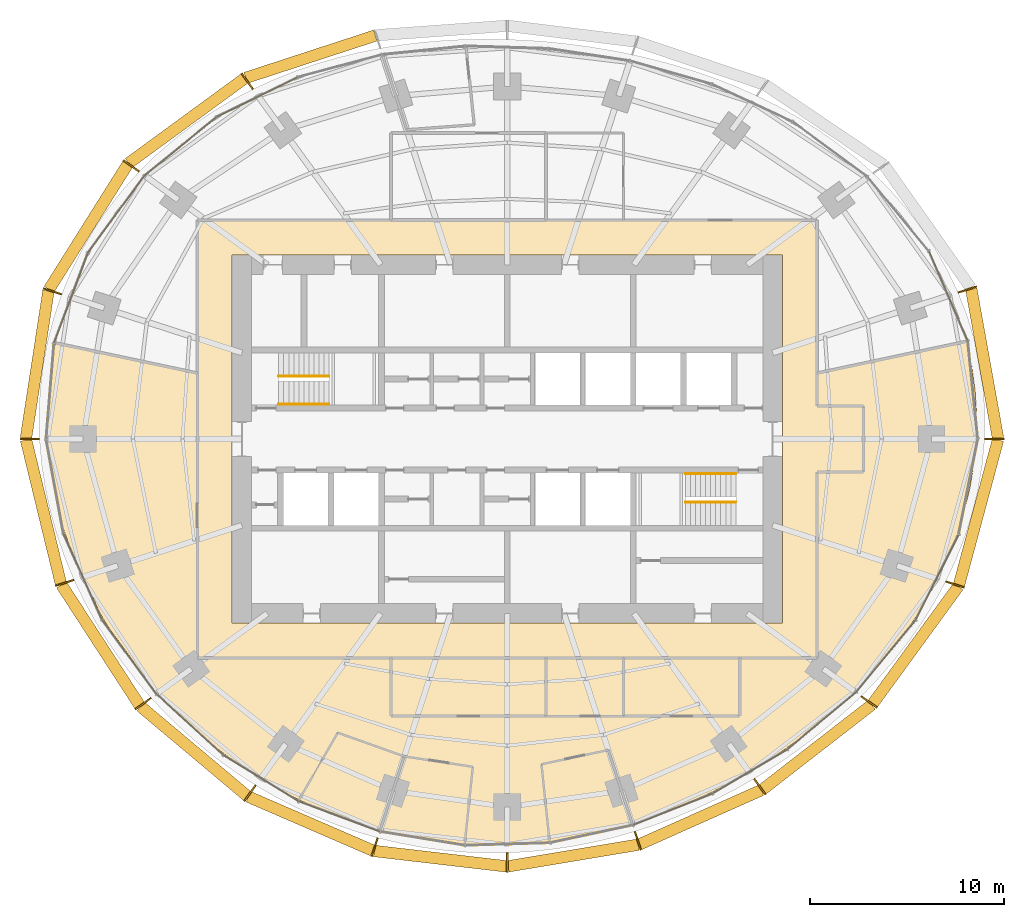
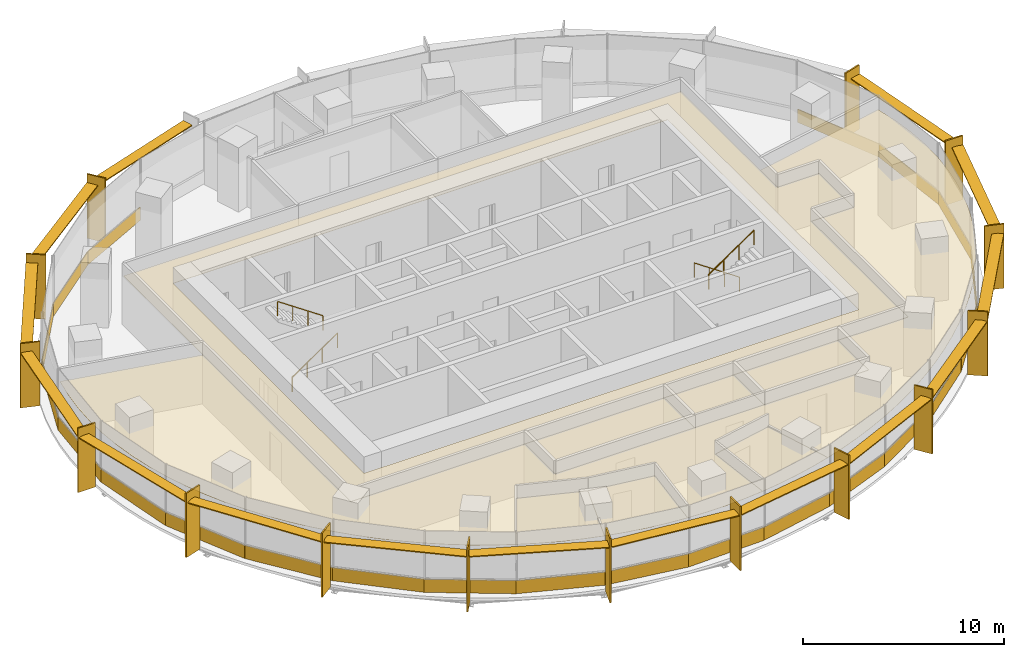
# One storey, part 14 of 15: 30 coverings, 30 shading devices, 4 railings.
"""IFC4 building model written with IfcOpenShell, lengths in metres."""

from ifc_helpers import new_model, si_unit, direction, frame, origin, origin_2d, place, context, subcontext, project, spatial, polyline, rectangle, circle, outline, extrude, material, layer, layer_set, type_object, element, save


model = new_model("IFC4")

# Units and contexts
model_context = context("Model", 3, precision=1e-05, world=origin(), true_north=direction((0.0, 1.0)))
body_context = subcontext(model_context, "Body", "Model", "MODEL_VIEW")
ifc_project = project(units=[si_unit("LENGTHUNIT", "METRE"), si_unit("AREAUNIT", "SQUARE_METRE"), si_unit("VOLUMEUNIT", "CUBIC_METRE"), si_unit("PLANEANGLEUNIT", "RADIAN"), si_unit("MASSUNIT", "GRAM", prefix="KILO")], contexts=[model_context])

# Site, building, storey
site_placement = place(None, origin())
site = spatial("IfcSite", under=ifc_project, at=site_placement, CompositionType="ELEMENT")
building_placement = place(site_placement, origin())
building = spatial("IfcBuilding", under=site, at=building_placement, Name="Marramba Exchange Tower", CompositionType="ELEMENT")
storey_placement = place(building_placement, frame((0.0, 0.0, 226.699951171875)))
storey = spatial("IfcBuildingStorey", under=building, at=storey_placement, Name="L55", CompositionType="ELEMENT", Elevation=226.699951171875)

# Shading devices
ifc_material_1 = material(Name="Aluminium blade, timber-look bronze finish", Category="wood")
ifc_layer_1 = layer(ifc_material_1, 0.080078125)
ifc_layer_set_1 = layer_set([ifc_layer_1], Name="Floor-edge blade 1000x80")
shading_device_type_1 = type_object("IfcShadingDeviceType", Name="Floor-edge blade 1000x80", PredefinedType="USERDEFINED", material=ifc_layer_set_1)
for number, where, z_axis, x_axis, name in (
    (1, (25.14404296875, 0.0, -0.159912109375), (0.0, 0.0, 1.0), (1.0, 0.0, 0.0), "Floor-edge blade FB1 L55 TC01"),
    (2, (23.757080078125, 7.718994140625, -0.159912109375), (0.0, 0.0, 1.0), (0.951056516295, 0.309016994375, 0.0), "Floor-edge blade FB1 L55 TC02"),
    (3, (-13.422607421875, 18.474609375, -0.159912109375), (0.0, 0.0, 1.0), (-0.587785252292, 0.809016994375, 0.0), "Floor-edge blade FB1 L55 TC08"),
    (4, (-19.4140625, 14.105224609375, -0.159912109375), (0.0, 0.0, 1.0), (-0.809016994375, 0.587785252292, 0.0), "Floor-edge blade FB1 L55 TC09"),
    (5, (-23.488525390625, 7.6318359375, -0.159912109375), (0.0, 0.0, 1.0), (-0.951056516295, 0.309016994375, 0.0), "Floor-edge blade FB1 L55 TC10"),
    (6, (-24.656005859375, 0.0, -0.159912109375), (0.0, 0.0, 1.0), (-1.0, 0.0, 0.0), "Floor-edge blade FB1 L55 TC11"),
    (7, (-22.848876953125, -7.424072265625, -0.159912109375), (0.0, 0.0, 1.0), (-0.951056516295, -0.309016994375, 0.0), "Floor-edge blade FB1 L55 TC12"),
    (8, (-18.7998046875, -13.658935546875, -0.159912109375), (0.0, 0.0, 1.0), (-0.809016994375, -0.587785252292, 0.0), "Floor-edge blade FB1 L55 TC13"),
    (9, (-13.2841796875, -18.2841796875, -0.159912109375), (0.0, 0.0, 1.0), (-0.587785252292, -0.809016994375, 0.0), "Floor-edge blade FB1 L55 TC14"),
    (10, (-6.845703125, -21.069091796875, -0.159912109375), (0.0, 0.0, 1.0), (-0.309016994375, -0.951056516295, 0.0), "Floor-edge blade FB1 L55 TC15"),
    (11, (0.0, -21.86376953125, -0.159912109375), (0.0, 0.0, 1.0), (0.0, -1.0, 0.0), "Floor-edge blade FB1 L55 TC16"),
    (12, (6.739501953125, -20.741943359375, -0.159912109375), (0.0, 0.0, 1.0), (0.309016994375, -0.951056516295, 0.0), "Floor-edge blade FB1 L55 TC17"),
    (13, (13.0380859375, -17.9453125, -0.159912109375), (0.0, 0.0, 1.0), (0.587785252292, -0.809016994375, 0.0), "Floor-edge blade FB1 L55 TC18"),
    (14, (18.6845703125, -13.5751953125, -0.159912109375), (0.0, 0.0, 1.0), (0.809016994375, -0.587785252292, 0.0), "Floor-edge blade FB1 L55 TC19"),
    (15, (23.1171875, -7.51123046875, -0.159912109375), (0.0, 0.0, 1.0), (0.951056516295, -0.309016994375, 0.0), "Floor-edge blade FB1 L55 TC20"),
):
    element("IfcShadingDevice", number, at=place(storey_placement, frame(where, z_axis=z_axis, x_axis=x_axis)), inside=storey, type_object=shading_device_type_1, Name=name, ObjectType="FIN", PredefinedType="USERDEFINED", context=body_context, shape_type="SweptSolid", body=[
        extrude(rectangle(XDim=1.0, YDim=0.080078125, at=origin_2d()), origin(), (0.0, 0.0, 1.0), 3.89990234375),
    ])
ifc_material_2 = material(Name="Aluminium sunshade, bronze anodised", Category="aluminium")
ifc_layer_2 = layer(ifc_material_2, 0.06005859375)
ifc_layer_set_2 = layer_set([ifc_layer_2], Name="SUNSHADE blade 600x60")
shading_device_type_2 = type_object("IfcShadingDeviceType", Name="SUNSHADE blade 600x60", PredefinedType="USERDEFINED", material=ifc_layer_set_2)
shading_device_1_placement = place(storey_placement, frame((24.6455078125, 3.890380859375, 3.159912109375), z_axis=(0.0, 0.0, 1.0), x_axis=(-0.176690623809, 0.984266439262, 0.0)))
element("IfcShadingDevice", 16, at=shading_device_1_placement, inside=storey, type_object=shading_device_type_2, Name="Sunshade SS1 L55 bay 01", ObjectType="SUNSHADE", PredefinedType="USERDEFINED", context=body_context, shape_type="SweptSolid", body=[
    extrude(rectangle(XDim=7.8251953125, YDim=0.60009765625, at=origin_2d()), origin(), (0.0, 0.0, 1.0), 0.06005859375),
])
shading_device_2_placement = place(storey_placement, frame((-10.156982421875, 19.741943359375, 3.159912109375), z_axis=(0.0, 0.0, 1.0), x_axis=(-0.950537602937, -0.310609506297, 0.0)))
element("IfcShadingDevice", 17, at=shading_device_2_placement, inside=storey, type_object=shading_device_type_2, Name="Sunshade SS1 L55 bay 07", ObjectType="SUNSHADE", PredefinedType="USERDEFINED", context=body_context, shape_type="SweptSolid", body=[
    extrude(rectangle(XDim=7.03857421875, YDim=0.60009765625, at=origin_2d()), origin(), (0.0, 0.0, 1.0), 0.06005859375),
])
shading_device_3_placement = place(storey_placement, frame((-16.55810546875, 16.4296875, 3.159912109375), z_axis=(0.0, 0.0, 1.0), x_axis=(-0.80719390073, -0.59028637679, 0.0)))
element("IfcShadingDevice", 18, at=shading_device_3_placement, inside=storey, type_object=shading_device_type_2, Name="Sunshade SS1 L55 bay 08", ObjectType="SUNSHADE", PredefinedType="USERDEFINED", context=body_context, shape_type="SweptSolid", body=[
    extrude(rectangle(XDim=7.3974609375, YDim=0.60009765625, at=origin_2d()), origin(), (0.0, 0.0, 1.0), 0.06005859375),
])
shading_device_4_placement = place(storey_placement, frame((-21.62744140625, 10.958251953125, 3.159912109375), z_axis=(0.0, 0.0, 1.0), x_axis=(-0.532082259983, -0.846692664792, 0.0)))
element("IfcShadingDevice", 19, at=shading_device_4_placement, inside=storey, type_object=shading_device_type_2, Name="Sunshade SS1 L55 bay 09", ObjectType="SUNSHADE", PredefinedType="USERDEFINED", context=body_context, shape_type="SweptSolid", body=[
    extrude(rectangle(XDim=7.631103515625, YDim=0.60009765625, at=origin_2d()), origin(), (0.0, 0.0, 1.0), 0.06005859375),
])
shading_device_5_placement = place(storey_placement, frame((-24.267333984375, 3.846923828125, 3.159912109375), z_axis=(0.0, 0.0, 1.0), x_axis=(-0.151240669327, -0.988496970123, 0.0)))
element("IfcShadingDevice", 20, at=shading_device_5_placement, inside=storey, type_object=shading_device_type_2, Name="Sunshade SS1 L55 bay 10", ObjectType="SUNSHADE", PredefinedType="USERDEFINED", context=body_context, shape_type="SweptSolid", body=[
    extrude(rectangle(XDim=7.703369140625, YDim=0.60009765625, at=origin_2d()), origin(), (0.0, 0.0, 1.0), 0.06005859375),
])
shading_device_6_placement = place(storey_placement, frame((-23.947509765625, -3.742919921875, 3.159912109375), z_axis=(0.0, 0.0, 1.0), x_axis=(0.235861488454, -0.971786683519, 0.0)))
element("IfcShadingDevice", 21, at=shading_device_6_placement, inside=storey, type_object=shading_device_type_2, Name="Sunshade SS1 L55 bay 11", ObjectType="SUNSHADE", PredefinedType="USERDEFINED", context=body_context, shape_type="SweptSolid", body=[
    extrude(rectangle(XDim=7.623291015625, YDim=0.60009765625, at=origin_2d()), origin(), (0.0, 0.0, 1.0), 0.06005859375),
])
shading_device_7_placement = place(storey_placement, frame((-21.000244140625, -10.631103515625, 3.159912109375), z_axis=(0.0, 0.0, 1.0), x_axis=(0.543921771105, -0.839135928749, 0.0)))
element("IfcShadingDevice", 22, at=shading_device_7_placement, inside=storey, type_object=shading_device_type_2, Name="Sunshade SS1 L55 bay 12", ObjectType="SUNSHADE", PredefinedType="USERDEFINED", context=body_context, shape_type="SweptSolid", body=[
    extrude(rectangle(XDim=7.41650390625, YDim=0.60009765625, at=origin_2d()), origin(), (0.0, 0.0, 1.0), 0.06005859375),
])
shading_device_8_placement = place(storey_placement, frame((-16.181640625, -16.111083984375, 3.159912109375), z_axis=(0.0, 0.0, 1.0), x_axis=(0.765761970568, -0.643124097225, 0.0)))
element("IfcShadingDevice", 23, at=shading_device_8_placement, inside=storey, type_object=shading_device_type_2, Name="Sunshade SS1 L55 bay 13", ObjectType="SUNSHADE", PredefinedType="USERDEFINED", context=body_context, shape_type="SweptSolid", body=[
    extrude(rectangle(XDim=7.1806640625, YDim=0.60009765625, at=origin_2d()), origin(), (0.0, 0.0, 1.0), 0.06005859375),
])
shading_device_9_placement = place(storey_placement, frame((-10.154541015625, -19.8525390625, 3.159912109375), z_axis=(0.0, 0.0, 1.0), x_axis=(0.917589256742, -0.397529817639, 0.0)))
element("IfcShadingDevice", 24, at=shading_device_9_placement, inside=storey, type_object=shading_device_type_2, Name="Sunshade SS1 L55 bay 14", ObjectType="SUNSHADE", PredefinedType="USERDEFINED", context=body_context, shape_type="SweptSolid", body=[
    extrude(rectangle(XDim=6.997314453125, YDim=0.60009765625, at=origin_2d()), origin(), (0.0, 0.0, 1.0), 0.06005859375),
])
shading_device_10_placement = place(storey_placement, frame((-3.453857421875, -21.66162109375, 3.159912109375), z_axis=(0.0, 0.0, 1.0), x_axis=(0.993288257497, -0.1156651958, 0.0)))
element("IfcShadingDevice", 25, at=shading_device_10_placement, inside=storey, type_object=shading_device_type_2, Name="Sunshade SS1 L55 bay 15", ObjectType="SUNSHADE", PredefinedType="USERDEFINED", context=body_context, shape_type="SweptSolid", body=[
    extrude(rectangle(XDim=6.874267578125, YDim=0.60009765625, at=origin_2d()), origin(), (0.0, 0.0, 1.0), 0.06005859375),
])
shading_device_11_placement = place(storey_placement, frame((3.400634765625, -21.498046875, 3.159912109375), z_axis=(0.0, 0.0, 1.0), x_axis=(0.986439622954, 0.164124557168, 0.0)))
element("IfcShadingDevice", 26, at=shading_device_11_placement, inside=storey, type_object=shading_device_type_2, Name="Sunshade SS1 L55 bay 16", ObjectType="SUNSHADE", PredefinedType="USERDEFINED", context=body_context, shape_type="SweptSolid", body=[
    extrude(rectangle(XDim=6.814697265625, YDim=0.60009765625, at=origin_2d()), origin(), (0.0, 0.0, 1.0), 0.06005859375),
])
shading_device_12_placement = place(storey_placement, frame((9.978515625, -19.519775390625, 3.159912109375), z_axis=(0.0, 0.0, 1.0), x_axis=(0.913771678576, 0.406228161792, 0.0)))
element("IfcShadingDevice", 27, at=shading_device_12_placement, inside=storey, type_object=shading_device_type_2, Name="Sunshade SS1 L55 bay 17", ObjectType="SUNSHADE", PredefinedType="USERDEFINED", context=body_context, shape_type="SweptSolid", body=[
    extrude(rectangle(XDim=6.8740234375, YDim=0.60009765625, at=origin_2d()), origin(), (0.0, 0.0, 1.0), 0.06005859375),
])
shading_device_13_placement = place(storey_placement, frame((16.0009765625, -15.89990234375, 3.159912109375), z_axis=(0.0, 0.0, 1.0), x_axis=(0.790133082515, 0.612935324414, 0.0)))
element("IfcShadingDevice", 28, at=shading_device_13_placement, inside=storey, type_object=shading_device_type_2, Name="Sunshade SS1 L55 bay 18", ObjectType="SUNSHADE", PredefinedType="USERDEFINED", context=body_context, shape_type="SweptSolid", body=[
    extrude(rectangle(XDim=7.122314453125, YDim=0.60009765625, at=origin_2d()), origin(), (0.0, 0.0, 1.0), 0.06005859375),
])
shading_device_14_placement = place(storey_placement, frame((21.076904296875, -10.6328125, 3.159912109375), z_axis=(0.0, 0.0, 1.0), x_axis=(0.589071758439, 0.808080728275, 0.0)))
element("IfcShadingDevice", 29, at=shading_device_14_placement, inside=storey, type_object=shading_device_type_2, Name="Sunshade SS1 L55 bay 19", ObjectType="SUNSHADE", PredefinedType="USERDEFINED", context=body_context, shape_type="SweptSolid", body=[
    extrude(rectangle(XDim=7.4931640625, YDim=0.60009765625, at=origin_2d()), origin(), (0.0, 0.0, 1.0), 0.06005859375),
])
shading_device_15_placement = place(storey_placement, frame((24.32568359375, -3.78662109375, 3.159912109375), z_axis=(0.0, 0.0, 1.0), x_axis=(0.259692365654, 0.965691397508, 0.0)))
element("IfcShadingDevice", 30, at=shading_device_15_placement, inside=storey, type_object=shading_device_type_2, Name="Sunshade SS1 L55 bay 20", ObjectType="SUNSHADE", PredefinedType="USERDEFINED", context=body_context, shape_type="SweptSolid", body=[
    extrude(rectangle(XDim=7.76220703125, YDim=0.60009765625, at=origin_2d()), origin(), (0.0, 0.0, 1.0), 0.06005859375),
])

# Coverings
ifc_material_3 = material(Name="Aluminium spandrel panel, bronze anodised, insulated", Category="aluminium")
ifc_layer_3 = layer(ifc_material_3, 0.050048828125)
ifc_layer_set_3 = layer_set([ifc_layer_3], Name="Spandrel panel 800")
covering_type_1 = type_object("IfcCoveringType", Name="Spandrel panel 800", PredefinedType="CLADDING", material=ifc_layer_set_3)
covering_1_placement = place(storey_placement, frame((24.036376953125, 2.527099609375, 0.0), z_axis=(0.0, 0.0, 1.0), x_axis=(-0.101422478545, 0.994843445395, 0.0)))
element("IfcCovering", 31, at=covering_1_placement, inside=storey, type_object=covering_type_1, Name="Spandrel panel SP1 L55 F01", PredefinedType="CLADDING", context=body_context, shape_type="SweptSolid", body=[
    extrude(rectangle(XDim=5.08056640625, YDim=0.050048828125, at=origin_2d()), origin(), (0.0, 0.0, 1.0), 0.800048828125),
])
covering_2_placement = place(storey_placement, frame((22.77734375, 7.374755859375, 0.0), z_axis=(0.0, 0.0, 1.0), x_axis=(-0.396193349205, 0.918167103552, 0.0)))
element("IfcCovering", 32, at=covering_2_placement, inside=storey, type_object=covering_type_1, Name="Spandrel panel SP1 L55 F02", PredefinedType="CLADDING", context=body_context, shape_type="SweptSolid", body=[
    extrude(rectangle(XDim=5.0546875, YDim=0.050048828125, at=origin_2d()), origin(), (0.0, 0.0, 1.0), 0.800048828125),
])
covering_3_placement = place(storey_placement, frame((-12.88818359375, 17.666748046875, 0.0), z_axis=(0.0, 0.0, 1.0), x_axis=(-0.898500520314, -0.438972453572, 0.0)))
element("IfcCovering", 33, at=covering_3_placement, inside=storey, type_object=covering_type_1, Name="Spandrel panel SP1 L55 F11", PredefinedType="CLADDING", context=body_context, shape_type="SweptSolid", body=[
    extrude(rectangle(XDim=4.667236328125, YDim=0.050048828125, at=origin_2d()), origin(), (0.0, 0.0, 1.0), 0.800048828125),
])
covering_4_placement = place(storey_placement, frame((-16.855712890625, 15.1240234375, 0.0), z_axis=(0.0, 0.0, 1.0), x_axis=(-0.776432169123, -0.630200830491, 0.0)))
element("IfcCovering", 34, at=covering_4_placement, inside=storey, type_object=covering_type_1, Name="Spandrel panel SP1 L55 F12", PredefinedType="CLADDING", context=body_context, shape_type="SweptSolid", body=[
    extrude(rectangle(XDim=4.81884765625, YDim=0.050048828125, at=origin_2d()), origin(), (0.0, 0.0, 1.0), 0.800048828125),
])
covering_5_placement = place(storey_placement, frame((-20.184326171875, 11.62060546875, 0.0), z_axis=(0.0, 0.0, 1.0), x_axis=(-0.591962919465, -0.805965198987, 0.0)))
element("IfcCovering", 35, at=covering_5_placement, inside=storey, type_object=covering_type_1, Name="Spandrel panel SP1 L55 F13", PredefinedType="CLADDING", context=body_context, shape_type="SweptSolid", body=[
    extrude(rectangle(XDim=4.925537109375, YDim=0.050048828125, at=origin_2d()), origin(), (0.0, 0.0, 1.0), 0.800048828125),
])
covering_6_placement = place(storey_placement, frame((-22.518798828125, 7.30419921875, 0.0), z_axis=(0.0, 0.0, 1.0), x_axis=(-0.351951514464, -0.936018232443, 0.0)))
element("IfcCovering", 36, at=covering_6_placement, inside=storey, type_object=covering_type_1, Name="Spandrel panel SP1 L55 F14", PredefinedType="CLADDING", context=body_context, shape_type="SweptSolid", body=[
    extrude(rectangle(XDim=4.981689453125, YDim=0.050048828125, at=origin_2d()), origin(), (0.0, 0.0, 1.0), 0.800048828125),
])
covering_7_placement = place(storey_placement, frame((-23.600830078125, 2.486328125, 0.0), z_axis=(0.0, 0.0, 1.0), x_axis=(-0.082280881776, -0.996609179415, 0.0)))
element("IfcCovering", 37, at=covering_7_placement, inside=storey, type_object=covering_type_1, Name="Spandrel panel SP1 L55 F15", PredefinedType="CLADDING", context=body_context, shape_type="SweptSolid", body=[
    extrude(rectangle(XDim=4.98974609375, YDim=0.050048828125, at=origin_2d()), origin(), (0.0, 0.0, 1.0), 0.800048828125),
])
covering_8_placement = place(storey_placement, frame((-23.359619140625, -2.43505859375, 0.0), z_axis=(0.0, 0.0, 1.0), x_axis=(0.180327442841, -0.983606635479, 0.0)))
element("IfcCovering", 38, at=covering_8_placement, inside=storey, type_object=covering_type_1, Name="Spandrel panel SP1 L55 F16", PredefinedType="CLADDING", context=body_context, shape_type="SweptSolid", body=[
    extrude(rectangle(XDim=4.951416015625, YDim=0.050048828125, at=origin_2d()), origin(), (0.0, 0.0, 1.0), 0.800048828125),
])
covering_9_placement = place(storey_placement, frame((-21.920654296875, -7.093994140625, 0.0), z_axis=(0.0, 0.0, 1.0), x_axis=(0.407557582153, -0.913179509861, 0.0)))
element("IfcCovering", 39, at=covering_9_placement, inside=storey, type_object=covering_type_1, Name="Spandrel panel SP1 L55 F17", PredefinedType="CLADDING", context=body_context, shape_type="SweptSolid", body=[
    extrude(rectangle(XDim=4.870361328125, YDim=0.050048828125, at=origin_2d()), origin(), (0.0, 0.0, 1.0), 0.800048828125),
])
covering_10_placement = place(storey_placement, frame((-19.520263671875, -11.238525390625, 0.0), z_axis=(0.0, 0.0, 1.0), x_axis=(0.591223097085, -0.80650805915, 0.0)))
element("IfcCovering", 40, at=covering_10_placement, inside=storey, type_object=covering_type_1, Name="Spandrel panel SP1 L55 F18", PredefinedType="CLADDING", context=body_context, shape_type="SweptSolid", body=[
    extrude(rectangle(XDim=4.762939453125, YDim=0.050048828125, at=origin_2d()), origin(), (0.0, 0.0, 1.0), 0.800048828125),
])
covering_11_placement = place(storey_placement, frame((-16.396240234375, -14.73193359375, 0.0), z_axis=(0.0, 0.0, 1.0), x_axis=(0.737203259599, -0.67567103981, 0.0)))
element("IfcCovering", 41, at=covering_11_placement, inside=storey, type_object=covering_type_1, Name="Spandrel panel SP1 L55 F19", PredefinedType="CLADDING", context=body_context, shape_type="SweptSolid", body=[
    extrude(rectangle(XDim=4.65478515625, YDim=0.050048828125, at=origin_2d()), origin(), (0.0, 0.0, 1.0), 0.800048828125),
])
covering_12_placement = place(storey_placement, frame((-12.73583984375, -17.497802734375, 0.0), z_axis=(0.0, 0.0, 1.0), x_axis=(0.852301010692, -0.52305161043, 0.0)))
element("IfcCovering", 42, at=covering_12_placement, inside=storey, type_object=covering_type_1, Name="Spandrel panel SP1 L55 F20", PredefinedType="CLADDING", context=body_context, shape_type="SweptSolid", body=[
    extrude(rectangle(XDim=4.563232421875, YDim=0.050048828125, at=origin_2d()), origin(), (0.0, 0.0, 1.0), 0.800048828125),
])
covering_13_placement = place(storey_placement, frame((-8.687255859375, -19.47607421875, 0.0), z_axis=(0.0, 0.0, 1.0), x_axis=(0.936951581946, -0.349459200892, 0.0)))
element("IfcCovering", 43, at=covering_13_placement, inside=storey, type_object=covering_type_1, Name="Spandrel panel SP1 L55 F21", PredefinedType="CLADDING", context=body_context, shape_type="SweptSolid", body=[
    extrude(rectangle(XDim=4.491455078125, YDim=0.050048828125, at=origin_2d()), origin(), (0.0, 0.0, 1.0), 0.800048828125),
])
covering_14_placement = place(storey_placement, frame((-4.393798828125, -20.6181640625, 0.0), z_axis=(0.0, 0.0, 1.0), x_axis=(0.98693062179, -0.161145734582, 0.0)))
element("IfcCovering", 44, at=covering_14_placement, inside=storey, type_object=covering_type_1, Name="Spandrel panel SP1 L55 F22", PredefinedType="CLADDING", context=body_context, shape_type="SweptSolid", body=[
    extrude(rectangle(XDim=4.4365234375, YDim=0.050048828125, at=origin_2d()), origin(), (0.0, 0.0, 1.0), 0.800048828125),
])
covering_15_placement = place(storey_placement, frame((-0.0068359375, -20.9111328125, 0.0), z_axis=(0.0, 0.0, 1.0), x_axis=(0.99956791932, 0.02939344597, 0.0)))
element("IfcCovering", 45, at=covering_15_placement, inside=storey, type_object=covering_type_1, Name="Spandrel panel SP1 L55 F23", PredefinedType="CLADDING", context=body_context, shape_type="SweptSolid", body=[
    extrude(rectangle(XDim=4.3974609375, YDim=0.050048828125, at=origin_2d()), origin(), (0.0, 0.0, 1.0), 0.800048828125),
])
covering_16_placement = place(storey_placement, frame((4.333984375, -20.389892578125, 0.0), z_axis=(0.0, 0.0, 1.0), x_axis=(0.978058068956, 0.208332459664, 0.0)))
element("IfcCovering", 46, at=covering_16_placement, inside=storey, type_object=covering_type_1, Name="Spandrel panel SP1 L55 F24", PredefinedType="CLADDING", context=body_context, shape_type="SweptSolid", body=[
    extrude(rectangle(XDim=4.3818359375, YDim=0.050048828125, at=origin_2d()), origin(), (0.0, 0.0, 1.0), 0.800048828125),
])
covering_17_placement = place(storey_placement, frame((8.525390625, -19.124267578125, 0.0), z_axis=(0.0, 0.0, 1.0), x_axis=(0.93007301151, 0.367374731386, 0.0)))
element("IfcCovering", 47, at=covering_17_placement, inside=storey, type_object=covering_type_1, Name="Spandrel panel SP1 L55 F25", PredefinedType="CLADDING", context=body_context, shape_type="SweptSolid", body=[
    extrude(rectangle(XDim=4.405517578125, YDim=0.050048828125, at=origin_2d()), origin(), (0.0, 0.0, 1.0), 0.800048828125),
])
covering_18_placement = place(storey_placement, frame((12.50634765625, -17.175537109375, 0.0), z_axis=(0.0, 0.0, 1.0), x_axis=(0.861350829898, 0.508010578466, 0.0)))
element("IfcCovering", 48, at=covering_18_placement, inside=storey, type_object=covering_type_1, Name="Spandrel panel SP1 L55 F26", PredefinedType="CLADDING", context=body_context, shape_type="SweptSolid", body=[
    extrude(rectangle(XDim=4.486572265625, YDim=0.050048828125, at=origin_2d()), origin(), (0.0, 0.0, 1.0), 0.800048828125),
])
covering_19_placement = place(storey_placement, frame((16.2177734375, -14.5556640625, 0.0), z_axis=(0.0, 0.0, 1.0), x_axis=(0.768736803132, 0.639565264465, 0.0)))
element("IfcCovering", 49, at=covering_19_placement, inside=storey, type_object=covering_type_1, Name="Spandrel panel SP1 L55 F27", PredefinedType="CLADDING", context=body_context, shape_type="SweptSolid", body=[
    extrude(rectangle(XDim=4.628662109375, YDim=0.050048828125, at=origin_2d()), origin(), (0.0, 0.0, 1.0), 0.800048828125),
])
covering_20_placement = place(storey_placement, frame((19.529541015625, -11.2265625, 0.0), z_axis=(0.0, 0.0, 1.0), x_axis=(0.638149992226, 0.769912064733, 0.0)))
element("IfcCovering", 50, at=covering_20_placement, inside=storey, type_object=covering_type_1, Name="Spandrel panel SP1 L55 F28", PredefinedType="CLADDING", context=body_context, shape_type="SweptSolid", body=[
    extrude(rectangle(XDim=4.80322265625, YDim=0.050048828125, at=origin_2d()), origin(), (0.0, 0.0, 1.0), 0.800048828125),
])
covering_21_placement = place(storey_placement, frame((22.17919921875, -7.16455078125, 0.0), z_axis=(0.0, 0.0, 1.0), x_axis=(0.450673091404, 0.892689063832, 0.0)))
element("IfcCovering", 51, at=covering_21_placement, inside=storey, type_object=covering_type_1, Name="Spandrel panel SP1 L55 F29", PredefinedType="CLADDING", context=body_context, shape_type="SweptSolid", body=[
    extrude(rectangle(XDim=4.957763671875, YDim=0.050048828125, at=origin_2d()), origin(), (0.0, 0.0, 1.0), 0.800048828125),
])
covering_22_placement = place(storey_placement, frame((23.795166015625, -2.475830078125, 0.0), z_axis=(0.0, 0.0, 1.0), x_axis=(0.197495401381, 0.980303813332, 0.0)))
element("IfcCovering", 52, at=covering_22_placement, inside=storey, type_object=covering_type_1, Name="Spandrel panel SP1 L55 F30", PredefinedType="CLADDING", context=body_context, shape_type="SweptSolid", body=[
    extrude(rectangle(XDim=5.05126953125, YDim=0.050048828125, at=origin_2d()), origin(), (0.0, 0.0, 1.0), 0.800048828125),
])

# Railings
ifc_material_4 = material(Name="Stainless steel handrail", Category="steel")
railing_type = type_object("IfcRailingType", Name="Stair handrail 900", PredefinedType="HANDRAIL", material=ifc_material_4)
railing_1_placement = place(storey_placement, frame((-11.800048828125, 1.800048828125, 0.17724609375)))
element("IfcRailing", 53, at=railing_1_placement, inside=storey, type_object=railing_type, Name="Handrail HR1 ST1 L55 flight 1", PredefinedType="HANDRAIL", context=body_context, shape_type="SweptSolid", body=[
    extrude(circle(Radius=0.02392578125, at=origin_2d()), frame((0.0, 0.0, 0.8759765625), z_axis=(0.826240473404, 0.0, 0.563317565952), x_axis=(0.0, 1.0, 0.0)), (0.0, 0.0, 1.0), 3.14697265625),
    extrude(circle(Radius=0.02099609375, at=origin_2d()), origin(), (0.0, 0.0, 1.0), 0.851806640625),
    extrude(circle(Radius=0.02099609375, at=origin_2d()), frame((0.86669921875, 0.0, 0.5908203125)), (0.0, 0.0, 1.0), 0.851806640625),
    extrude(circle(Radius=0.02099609375, at=origin_2d()), frame((1.7333984375, 0.0, 1.181884765625)), (0.0, 0.0, 1.0), 0.851806640625),
    extrude(circle(Radius=0.02099609375, at=origin_2d()), frame((2.60009765625, 0.0, 1.772705078125)), (0.0, 0.0, 1.0), 0.851806640625),
])
for number, where, name in (
    (54, (-9.199951171875, 3.25, 2.12744140625), "Handrail HR1 ST1 L55 flight 2"),
    (55, (11.800048828125, -1.800048828125, 0.17724609375), "Handrail HR1 ST2 L55 flight 1"),
):
    element("IfcRailing", number, at=place(storey_placement, frame(where)), inside=storey, type_object=railing_type, Name=name, PredefinedType="HANDRAIL", context=body_context, shape_type="SweptSolid", body=[
        extrude(circle(Radius=0.02392578125, at=origin_2d()), frame((0.0, 0.0, 0.8759765625), z_axis=(-0.826240473404, 0.0, 0.563317565952), x_axis=(0.0, -1.0, 0.0)), (0.0, 0.0, 1.0), 3.14697265625),
        extrude(circle(Radius=0.02099609375, at=origin_2d()), origin(), (0.0, 0.0, 1.0), 0.851806640625),
        extrude(circle(Radius=0.02099609375, at=origin_2d()), frame((-0.86669921875, 0.0, 0.5908203125)), (0.0, 0.0, 1.0), 0.851806640625),
        extrude(circle(Radius=0.02099609375, at=origin_2d()), frame((-1.7333984375, 0.0, 1.181884765625)), (0.0, 0.0, 1.0), 0.851806640625),
        extrude(circle(Radius=0.02099609375, at=origin_2d()), frame((-2.60009765625, 0.0, 1.772705078125)), (0.0, 0.0, 1.0), 0.851806640625),
    ])
railing_2_placement = place(storey_placement, frame((9.199951171875, -3.25, 2.12744140625)))
element("IfcRailing", 56, at=railing_2_placement, inside=storey, type_object=railing_type, Name="Handrail HR1 ST2 L55 flight 2", PredefinedType="HANDRAIL", context=body_context, shape_type="SweptSolid", body=[
    extrude(circle(Radius=0.02392578125, at=origin_2d()), frame((0.0, 0.0, 0.8759765625), z_axis=(0.826240473404, 0.0, 0.563317565952), x_axis=(0.0, 1.0, 0.0)), (0.0, 0.0, 1.0), 3.14697265625),
    extrude(circle(Radius=0.02099609375, at=origin_2d()), origin(), (0.0, 0.0, 1.0), 0.851806640625),
    extrude(circle(Radius=0.02099609375, at=origin_2d()), frame((0.86669921875, 0.0, 0.5908203125)), (0.0, 0.0, 1.0), 0.851806640625),
    extrude(circle(Radius=0.02099609375, at=origin_2d()), frame((1.7333984375, 0.0, 1.181884765625)), (0.0, 0.0, 1.0), 0.851806640625),
    extrude(circle(Radius=0.02099609375, at=origin_2d()), frame((2.60009765625, 0.0, 1.772705078125)), (0.0, 0.0, 1.0), 0.851806640625),
])

# Coverings
ifc_material_5 = material(Name="Mineral fibre ceiling tiles", Category="gypsum")
ifc_layer_4 = layer(ifc_material_5, 0.02001953125)
ifc_layer_set_4 = layer_set([ifc_layer_4], Name="Suspended ceiling 20")
covering_type_2 = type_object("IfcCoveringType", Name="Suspended ceiling 20", PredefinedType="CEILING", material=ifc_layer_set_4)
covering_23_placement = place(storey_placement, frame((0.0, 0.0, 2.900146484375)))
element("IfcCovering", 57, at=covering_23_placement, inside=storey, type_object=covering_type_2, Name="Ceiling CL1 L55 Open Plan Office 2", PredefinedType="CEILING", context=body_context, shape_type="SweptSolid", body=[
    extrude(outline(polyline([(24.15234375, 2.53857421875), (24.23193359375, 1.27001953125), (24.214111328125, 0.0), (24.10009765625, -1.262939453125), (23.89306640625, -2.51123046875), (23.597412109375, -3.737548828125), (23.218017578125, -4.935302734375), (22.760986328125, -6.098876953125), (22.23291015625, -7.223876953125), (21.639892578125, -8.306884765625), (20.989013671875, -9.344970703125), (20.286865234375, -10.336669921875), (19.539794921875, -11.28125), (18.753173828125, -12.178466796875), (17.93212890625, -13.028564453125), (17.08154296875, -13.832275390625), (16.204833984375, -14.5908203125), (15.30517578125, -15.30517578125), (14.38525390625, -15.976318359375), (13.44677734375, -16.60546875), (12.491455078125, -17.193115234375), (11.520263671875, -17.73974609375), (10.5341796875, -18.245849609375), (9.53369140625, -18.711181640625), (8.51953125, -19.13525390625), (7.4921875, -19.517578125), (6.4521484375, -19.857421875), (5.216064453125, -16.05322265625), (1.7646484375, -16.788818359375), (2.1826171875, -20.766845703125), (1.093994140625, -20.875244140625), (0.0, -20.93359375), (-1.097412109375, -20.94091796875), (-2.1962890625, -20.89599609375), (-1.7783203125, -16.91796875), (-5.322265625, -16.38037109375), (-8.75146484375, -15.15771484375), (-10.75146484375, -18.621826171875), (-11.755615234375, -18.101806640625), (-12.737548828125, -17.53173828125), (-13.6953125, -16.912353515625), (-14.626953125, -16.2451171875), (-15.5302734375, -15.5302734375), (-16.403076171875, -14.769287109375), (-17.242919921875, -13.962890625), (-18.04736328125, -13.1123046875), (-18.81396484375, -12.218017578125), (-19.539794921875, -11.28125), (-20.22119140625, -10.30322265625), (-20.85498046875, -9.285400390625), (-21.4375, -8.22900390625), (-21.96435546875, -7.13671875), (-22.431640625, -6.010498046875), (-22.8349609375, -4.853759765625), (-23.169921875, -3.669677734375), (-23.432373046875, -2.462890625), (-23.618896484375, -1.23779296875), (-23.72607421875, 0.0), (-23.7509765625, 1.24462890625), (-23.691650390625, 2.489990234375), (-23.547119140625, 3.7294921875), (-23.317138671875, 4.956298828125), (-16.0, 3.40087890625), (-16.0, -11.300048828125), (-6.0, -11.300048828125), (-6.0, -14.300048828125), (2.0, -14.300048828125), (6.0, -14.300048828125), (12.0, -14.300048828125), (12.0, -11.300048828125), (16.0, -11.300048828125), (16.0, -1.699951171875), (18.39990234375, -1.699951171875), (18.39990234375, 1.699951171875), (16.0, 1.699951171875), (16.0, 3.40087890625), (20.684814453125, 4.396728515625), (23.700439453125, 5.03759765625), (23.974853515625, 3.797119140625), (24.15234375, 2.53857421875)])), origin(), (0.0, 0.0, 1.0), 0.02001953125),
])
covering_24_placement = place(storey_placement, frame((0.0, 0.0, 2.900146484375)))
element("IfcCovering", 58, at=covering_24_placement, inside=storey, type_object=covering_type_2, Name="Ceiling CL1 L55 Corridor", PredefinedType="CEILING", context=body_context, shape_type="SweptSolid", body=[
    extrude(outline(polyline([(18.39990234375, 1.699951171875), (18.39990234375, -1.699951171875), (16.0, -1.699951171875), (16.0, -11.300048828125), (-16.0, -11.300048828125), (-16.0, 11.300048828125), (16.0, 11.300048828125), (16.0, 1.699951171875), (18.39990234375, 1.699951171875)]), holes=[polyline([(14.199951171875, -1.699951171875), (14.199951171875, 1.699951171875), (14.199951171875, 9.5), (-14.199951171875, 9.5), (-14.199951171875, -9.5), (14.199951171875, -9.5), (14.199951171875, -1.699951171875)])]), origin(), (0.0, 0.0, 1.0), 0.02001953125),
])
covering_25_placement = place(storey_placement, frame((0.0, 0.0, 2.900146484375)))
element("IfcCovering", 59, at=covering_25_placement, inside=storey, type_object=covering_type_2, Name="Ceiling CL1 L55 Office 2", PredefinedType="CEILING", context=body_context, shape_type="SweptSolid", body=[
    extrude(outline(polyline([(-7.438720703125, -19.92822265625), (-7.62841796875, -19.873046875), (-8.685546875, -19.50830078125), (-9.6787109375, -19.110595703125), (-9.727294921875, -19.091064453125), (-10.75146484375, -18.621826171875), (-8.75146484375, -15.15771484375), (-5.322265625, -16.38037109375), (-6.558349609375, -20.184814453125), (-7.438720703125, -19.92822265625)])), origin(), (0.0, 0.0, 1.0), 0.02001953125),
])
covering_26_placement = place(storey_placement, frame((0.0, 0.0, 2.900146484375)))
element("IfcCovering", 60, at=covering_26_placement, inside=storey, type_object=covering_type_2, Name="Ceiling CL1 L55 Office 3", PredefinedType="CEILING", context=body_context, shape_type="SweptSolid", body=[
    extrude(outline(polyline([(5.411865234375, -20.150146484375), (5.400146484375, -20.153564453125), (5.36865234375, -20.160888671875), (4.337158203125, -20.404541015625), (3.26416015625, -20.609619140625), (2.946533203125, -20.65576171875), (2.1826171875, -20.766845703125), (1.7646484375, -16.788818359375), (5.216064453125, -16.05322265625), (6.4521484375, -19.857421875), (5.411865234375, -20.150146484375)])), origin(), (0.0, 0.0, 1.0), 0.02001953125),
])
covering_27_placement = place(storey_placement, frame((0.0, 0.0, 2.900146484375)))
element("IfcCovering", 61, at=covering_27_placement, inside=storey, type_object=covering_type_2, Name="Ceiling CL1 L55 Office 4", PredefinedType="CEILING", context=body_context, shape_type="SweptSolid", body=[
    extrude(outline(polyline([(-3.294189453125, -20.79833984375), (-3.888671875, -20.71630859375), (-4.388916015625, -20.6474609375), (-5.477783203125, -20.44287109375), (-6.558349609375, -20.184814453125), (-5.322265625, -16.38037109375), (-1.7783203125, -16.91796875), (-2.1962890625, -20.89599609375), (-3.294189453125, -20.79833984375)])), origin(), (0.0, 0.0, 1.0), 0.02001953125),
])
covering_28_placement = place(storey_placement, frame((0.0, 0.0, 2.900146484375)))
element("IfcCovering", 62, at=covering_28_placement, inside=storey, type_object=covering_type_2, Name="Ceiling CL1 L55 Meeting Room 2", PredefinedType="CEILING", context=body_context, shape_type="SweptSolid", body=[
    extrude(outline(polyline([(2.0, -14.300048828125), (-6.0, -14.300048828125), (-6.0, -11.300048828125), (2.0, -11.300048828125), (2.0, -14.300048828125)])), origin(), (0.0, 0.0, 1.0), 0.02001953125),
])
covering_29_placement = place(storey_placement, frame((0.0, 0.0, 2.900146484375)))
element("IfcCovering", 63, at=covering_29_placement, inside=storey, type_object=covering_type_2, Name="Ceiling CL1 L55 Pantry 2", PredefinedType="CEILING", context=body_context, shape_type="SweptSolid", body=[
    extrude(outline(polyline([(6.0, -14.300048828125), (2.0, -14.300048828125), (2.0, -11.300048828125), (6.0, -11.300048828125), (6.0, -14.300048828125)])), origin(), (0.0, 0.0, 1.0), 0.02001953125),
])
covering_30_placement = place(storey_placement, frame((0.0, 0.0, 2.900146484375)))
element("IfcCovering", 64, at=covering_30_placement, inside=storey, type_object=covering_type_2, Name="Ceiling CL1 L55 Meeting Room 3", PredefinedType="CEILING", context=body_context, shape_type="SweptSolid", body=[
    extrude(outline(polyline([(12.0, -14.300048828125), (6.0, -14.300048828125), (6.0, -11.300048828125), (12.0, -11.300048828125), (12.0, -14.300048828125)])), origin(), (0.0, 0.0, 1.0), 0.02001953125),
])

save(model, "model.ifc")
